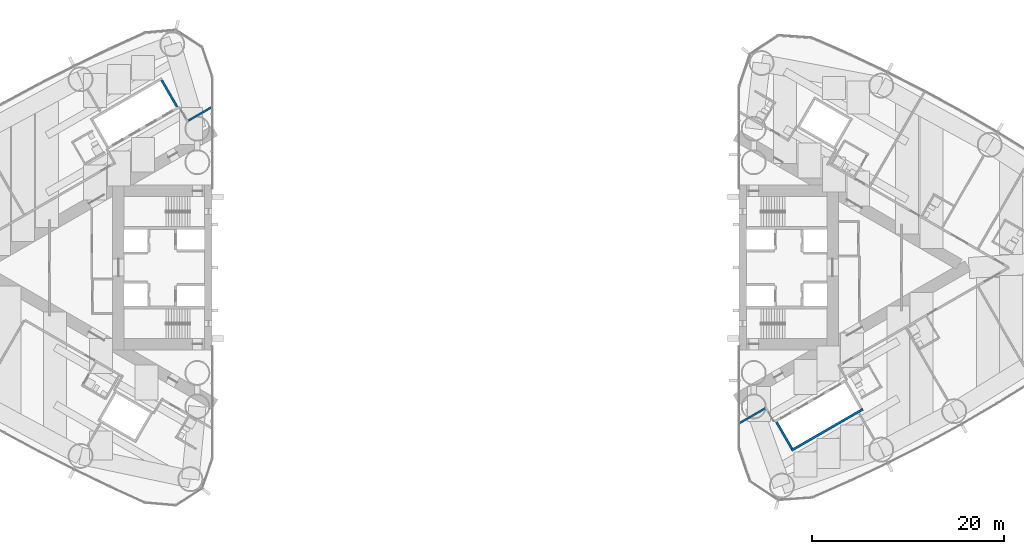
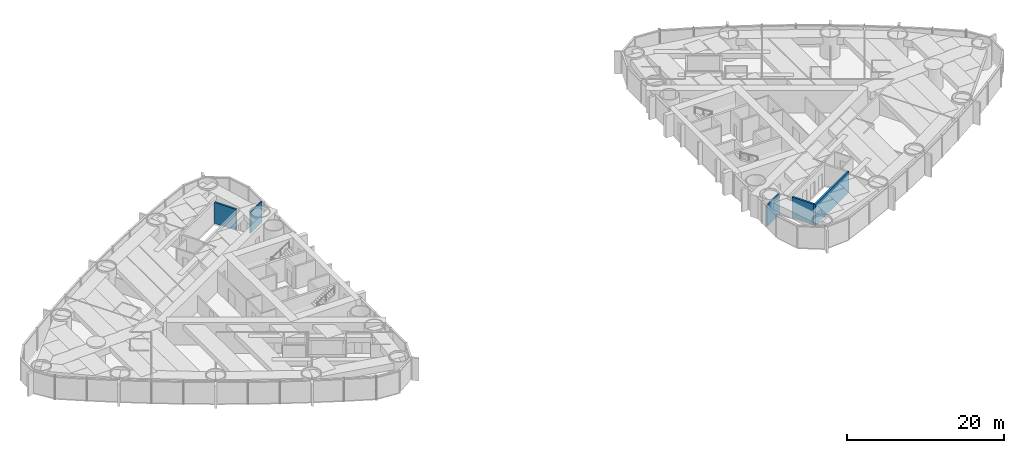
# One storey, part 13 of 19: 5 walls.
"""IFC4 building model written with IfcOpenShell, lengths in metres."""

from ifc_helpers import new_model, si_unit, direction, frame, frame_2d, origin, place, context, subcontext, project, spatial, rectangle, extrude, material, layer, layer_set, type_object, element, save


model = new_model("IFC4")

# Units and contexts
model_context = context("Model", 3, precision=1e-05, world=origin(), true_north=direction((0.0, 1.0)))
body_context = subcontext(model_context, "Body", "Model", "MODEL_VIEW")
ifc_project = project(units=[si_unit("LENGTHUNIT", "METRE"), si_unit("AREAUNIT", "SQUARE_METRE"), si_unit("VOLUMEUNIT", "CUBIC_METRE"), si_unit("PLANEANGLEUNIT", "RADIAN"), si_unit("MASSUNIT", "GRAM", prefix="KILO")], contexts=[model_context])

# Site, building, storey
site_placement = place(None, origin())
site = spatial("IfcSite", under=ifc_project, at=site_placement, CompositionType="ELEMENT")
building_placement = place(site_placement, origin())
building = spatial("IfcBuilding", under=site, at=building_placement, Name="Lancet Gate Hotel", CompositionType="ELEMENT")
storey_placement = place(building_placement, frame((0.0, 0.0, 132.60009765625)))
storey = spatial("IfcBuildingStorey", under=building, at=storey_placement, Name="L35", CompositionType="ELEMENT", Elevation=132.60009765625)

# Walls
ifc_material_1 = material(Name="Gypsum board partition")
ifc_layer_1 = layer(ifc_material_1, 0.199951171875)
ifc_layer_set_1 = layer_set([ifc_layer_1], Name="Corridor wall 200")
wall_type_1 = type_object("IfcWallType", Name="Corridor wall 200", PredefinedType="PARTITIONING", material=ifc_layer_set_1)
wall_1_placement = place(storey_placement, frame((-27.572021484375, 16.740966796875, 0.0), z_axis=(0.0, 0.0, 1.0), x_axis=(-0.866034618596, -0.499984039138, 0.0)))
element("IfcWall", 1, at=wall_1_placement, inside=storey, type_object=wall_type_1, Name="T1 corridor wall 200 L35", PredefinedType="PARTITIONING", context=body_context, shape_type="SweptSolid", body=[
    extrude(rectangle(XDim=2.8544921875, YDim=0.199951171875, at=frame_2d((1.42724609375, 0.0))), origin(), (0.0, 0.0, 1.0), 3.25),
])
wall_2_placement = place(storey_placement, frame((27.572021484375, -16.240966796875, 0.0), z_axis=(0.0, 0.0, 1.0), x_axis=(0.866029654818, 0.499992636921, 0.0)))
element("IfcWall", 2, at=wall_2_placement, inside=storey, type_object=wall_type_1, Name="T2 corridor wall 200 L35", PredefinedType="PARTITIONING", context=body_context, shape_type="SweptSolid", body=[
    extrude(rectangle(XDim=3.15478515625, YDim=0.199951171875, at=frame_2d((1.577392578125, 0.0))), origin(), (0.0, 0.0, 1.0), 3.25),
])
ifc_material_2 = material(Name="Gypsum board partition")
ifc_layer_2 = layer(ifc_material_2, 0.25)
ifc_layer_set_2 = layer_set([ifc_layer_2], Name="Lift shaft partition 250")
wall_type_2 = type_object("IfcWallType", Name="Lift shaft partition 250", PredefinedType="PARTITIONING", material=ifc_layer_set_2)
wall_3_placement = place(storey_placement, frame((-31.18115234375, 16.79296875, 0.0), z_axis=(0.0, 0.0, 1.0), x_axis=(-0.499929347863, 0.866066190972, 0.0)))
element("IfcWall", 3, at=wall_3_placement, inside=storey, type_object=wall_type_2, Name="T1 lift shaft wall LR L35", PredefinedType="PARTITIONING", context=body_context, shape_type="SweptSolid", body=[
    extrude(rectangle(XDim=3.20068359375, YDim=0.25, at=frame_2d((1.600341796875, 0.0))), origin(), (0.0, 0.0, 1.0), 3.25),
])
wall_4_placement = place(storey_placement, frame((32.99560546875, -19.085693359375, 0.0), z_axis=(0.0, 0.0, 1.0), x_axis=(0.866028165386, 0.499995216735, 0.0)))
element("IfcWall", 4, at=wall_4_placement, inside=storey, type_object=wall_type_2, Name="T2 lift shaft wall LR L35", PredefinedType="PARTITIONING", context=body_context, shape_type="SweptSolid", body=[
    extrude(rectangle(XDim=8.60009765625, YDim=0.25, at=frame_2d((4.300048828125, 0.0))), origin(), (0.0, 0.0, 1.0), 3.25),
])
wall_5_placement = place(storey_placement, frame((31.441162109375, -16.14306640625, 0.0), z_axis=(0.0, 0.0, 1.0), x_axis=(0.499929347863, -0.866066190972, 0.0)))
element("IfcWall", 5, at=wall_5_placement, inside=storey, type_object=wall_type_2, Name="T2 lift shaft wall LR L35", PredefinedType="PARTITIONING", context=body_context, shape_type="SweptSolid", body=[
    extrude(rectangle(XDim=3.20068359375, YDim=0.25, at=frame_2d((1.600341796875, 0.0))), origin(), (0.0, 0.0, 1.0), 3.25),
])

save(model, "model.ifc")
